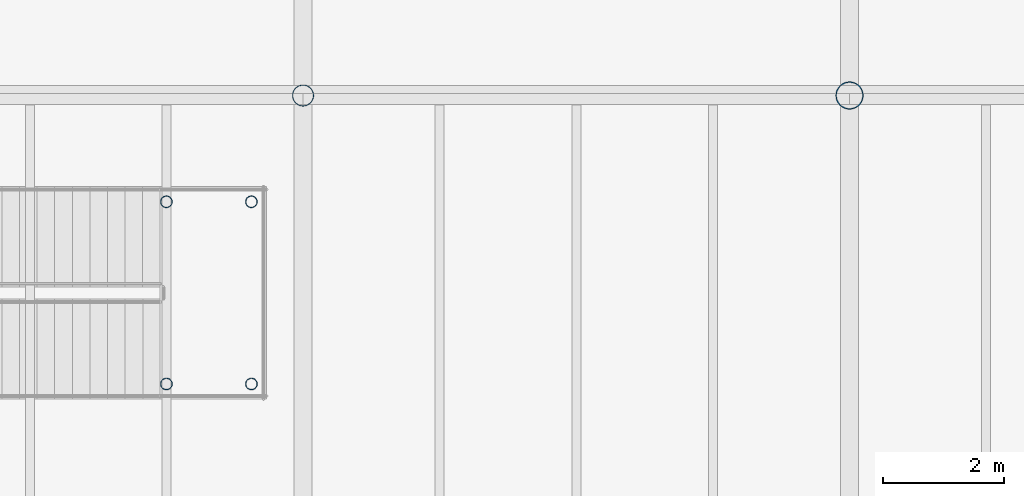
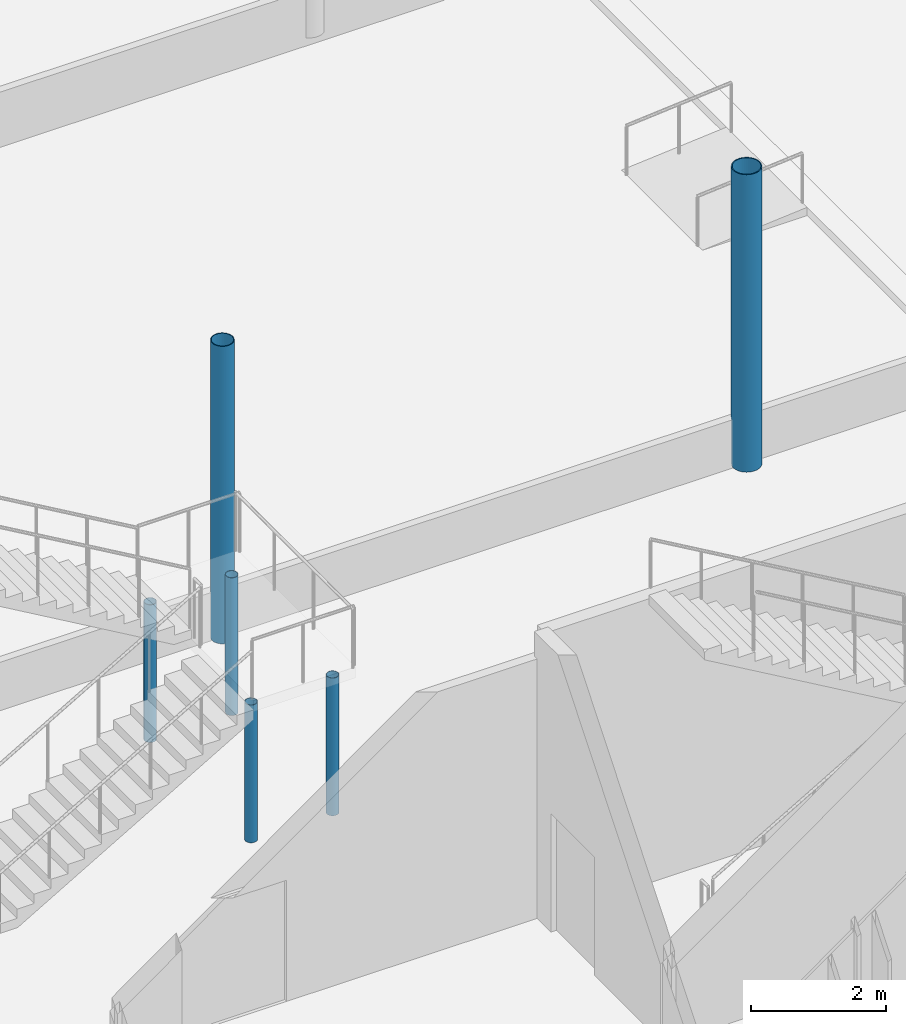
# One storey, part 4 of 158: 6 columns.
"""IFC4 building model written with IfcOpenShell, lengths in metres."""

from ifc_helpers import new_model, si_unit, derived_unit, direction, frame, origin, origin_2d, place, context, subcontext, project, spatial, hollow_circle, extrude, material, material_profile, profile_set, type_object, element, save


model = new_model("IFC4")

# Units and contexts
model_context = context("Model", 3, precision=1e-05, world=origin(), true_north=direction((0.0, 1.0)))
body_context = subcontext(model_context, "Body", "Model", "MODEL_VIEW")
ifc_project = project(units=[si_unit("LENGTHUNIT", "METRE"), si_unit("AREAUNIT", "SQUARE_METRE"), si_unit("VOLUMEUNIT", "CUBIC_METRE"), si_unit("PLANEANGLEUNIT", "RADIAN"), si_unit("MASSUNIT", "GRAM", prefix="KILO"), si_unit("THERMODYNAMICTEMPERATUREUNIT", "KELVIN"), si_unit("TIMEUNIT", "SECOND"), derived_unit("THERMALTRANSMITTANCEUNIT", [(si_unit("MASSUNIT", "GRAM", prefix="KILO"), 1), (si_unit("THERMODYNAMICTEMPERATUREUNIT", "KELVIN"), -1), (si_unit("TIMEUNIT", "SECOND"), -3)])], contexts=[model_context])

# Site, building, storey
site_placement = place(None, origin())
site = spatial("IfcSite", under=ifc_project, at=site_placement, CompositionType="ELEMENT")
building_placement = place(site_placement, origin())
building = spatial("IfcBuilding", under=site, at=building_placement, Name="Cambertide Market Hall", CompositionType="ELEMENT")
storey_placement = place(building_placement, origin())
storey = spatial("IfcBuildingStorey", under=building, at=storey_placement, Name="L01", CompositionType="ELEMENT", Elevation=0.0)

# Columns
ifc_material_1 = material(Name="Steel S355", Category="steel")
ifc_material_profile_1 = material_profile(ifc_material_1, hollow_circle(Radius=0.096923828125, WallThickness=0.00634765625, at=origin_2d()), Name="CHS 193.7x6.3")
ifc_profile_set_1 = profile_set([ifc_material_profile_1], Name="Steel S355")
column_type_1 = type_object("IfcColumnType", Name="Steel Column CHS 193.7x6.3", PredefinedType="COLUMN", material=ifc_profile_set_1)
for number, where, z_axis, x_axis, name in (
    (1, (57.75, 60.75, 0.0), (0.0, 0.0, 1.0), (1.0, 0.0, 0.0), "Level 1 Column MPST-ST10-1"),
    (2, (57.75, 63.75, 0.0), (0.0, 0.0, 1.0), (1.0, 0.0, 0.0), "Level 1 Column MPST-ST10-2"),
    (3, (59.14990234375, 60.75, 0.0), (0.0, 0.0, 1.0), (1.0, 0.0, 0.0), "Level 1 Column MPST-ST10-3"),
    (4, (59.14990234375, 63.75, 0.0), (0.0, 0.0, 1.0), (1.0, 0.0, 0.0), "Level 1 Column MPST-ST10-4"),
):
    element("IfcColumn", number, at=place(storey_placement, frame(where, z_axis=z_axis, x_axis=x_axis)), inside=storey, type_object=column_type_1, Name=name, PredefinedType="COLUMN", context=body_context, shape_type="SweptSolid", body=[
        extrude(hollow_circle(Radius=0.096923828125, WallThickness=0.00634765625, at=origin_2d()), origin(), (0.0, 0.0, 1.0), 2.5),
    ])
ifc_material_2 = material(Name="Steel S355", Category="steel")
ifc_material_profile_2 = material_profile(ifc_material_2, hollow_circle(Radius=0.177734375, WallThickness=0.012451171875, at=origin_2d()), Name="CHS 355.6x12.5")
ifc_profile_set_2 = profile_set([ifc_material_profile_2], Name="Steel S355")
column_type_2 = type_object("IfcColumnType", Name="Steel Column CHS 355.6x12.5", PredefinedType="COLUMN", material=ifc_profile_set_2)
column_1_placement = place(storey_placement, frame((60.0, 65.5, 0.0), z_axis=(0.0, 0.0, 1.0), x_axis=(1.0, 0.0, 0.0)))
element("IfcColumn", 5, at=column_1_placement, inside=storey, type_object=column_type_2, Name="Level 1 Column COL-V1-MS3-L01", PredefinedType="COLUMN", context=body_context, shape_type="SweptSolid", body=[
    extrude(hollow_circle(Radius=0.177734375, WallThickness=0.012451171875, at=origin_2d()), origin(), (0.0, 0.0, 1.0), 5.39990234375),
])
ifc_material_3 = material(Name="Steel S355", Category="steel")
ifc_material_profile_3 = material_profile(ifc_material_3, hollow_circle(Radius=0.228515625, WallThickness=0.01611328125, at=origin_2d()), Name="CHS 457x16")
ifc_profile_set_3 = profile_set([ifc_material_profile_3], Name="Steel S355")
column_type_3 = type_object("IfcColumnType", Name="Steel Column CHS 457x16", PredefinedType="COLUMN", material=ifc_profile_set_3)
column_2_placement = place(storey_placement, frame((69.0, 65.5, 0.0), z_axis=(0.0, 0.0, 1.0), x_axis=(1.0, 0.0, 0.0)))
element("IfcColumn", 6, at=column_2_placement, inside=storey, type_object=column_type_3, Name="Level 1 Column COL-V1-MS4-L01", PredefinedType="COLUMN", context=body_context, shape_type="SweptSolid", body=[
    extrude(hollow_circle(Radius=0.228515625, WallThickness=0.01611328125, at=origin_2d()), origin(), (0.0, 0.0, 1.0), 5.39990234375),
])

save(model, "model.ifc")
